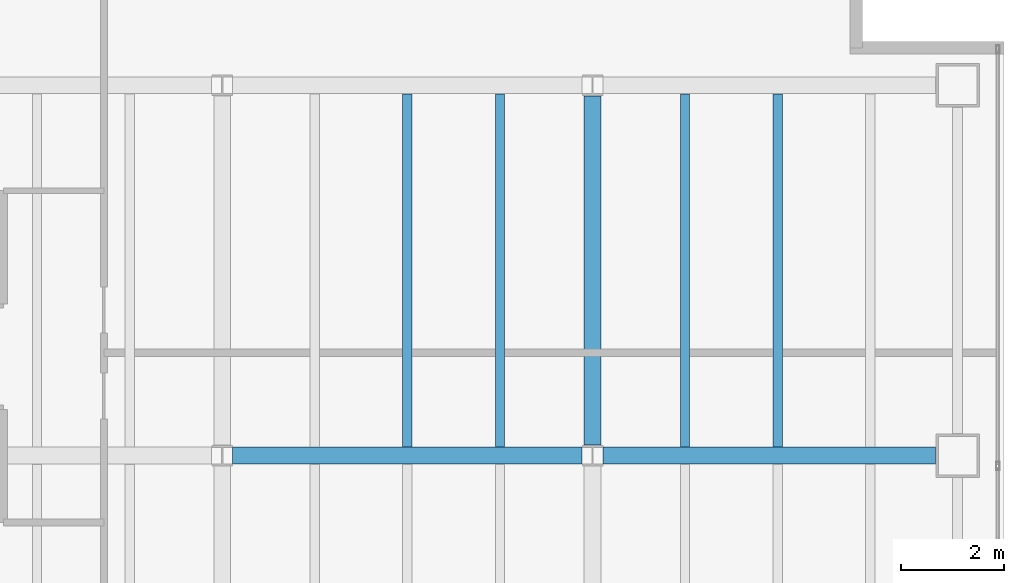
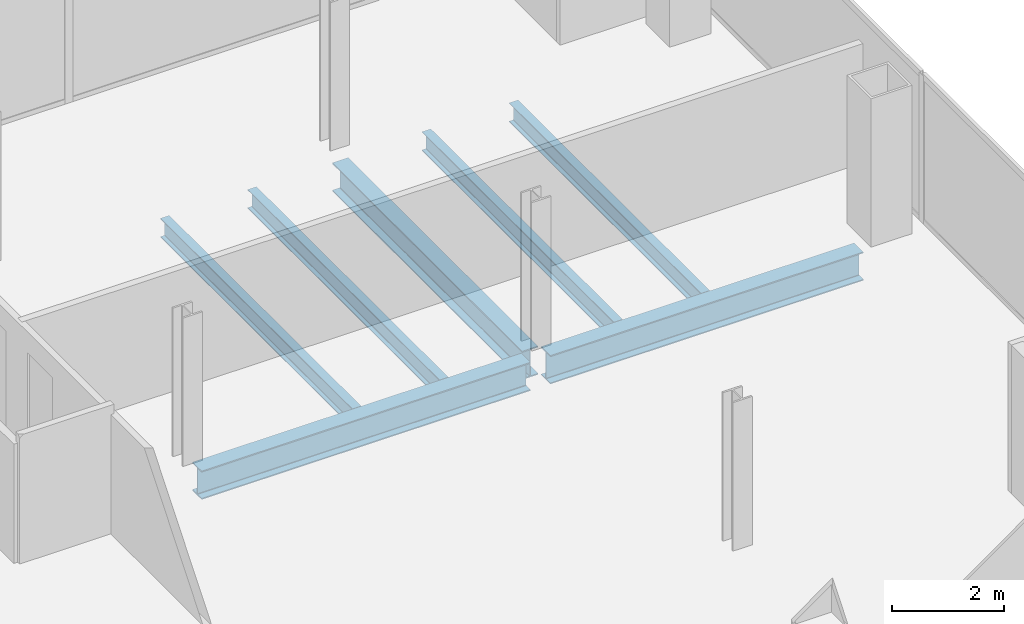
# One storey, part 13 of 23: 7 beams.
"""IFC4 building model written with IfcOpenShell, lengths in metres."""

from ifc_helpers import new_model, si_unit, direction, frame, origin, origin_2d, place, context, subcontext, project, spatial, i_section, extrude, material, material_profile, profile_set, type_object, element, save


model = new_model("IFC4")

# Units and contexts
model_context = context("Model", 3, precision=1e-05, world=origin(), true_north=direction((0.0, 1.0)))
body_context = subcontext(model_context, "Body", "Model", "MODEL_VIEW")
ifc_project = project(units=[si_unit("LENGTHUNIT", "METRE"), si_unit("AREAUNIT", "SQUARE_METRE"), si_unit("VOLUMEUNIT", "CUBIC_METRE"), si_unit("PLANEANGLEUNIT", "RADIAN"), si_unit("MASSUNIT", "GRAM", prefix="KILO")], contexts=[model_context])

# Site, building, storey
site_placement = place(None, origin())
site = spatial("IfcSite", under=ifc_project, at=site_placement, CompositionType="ELEMENT")
building_placement = place(site_placement, origin())
building = spatial("IfcBuilding", under=site, at=building_placement, Name="Cobrela Telecom Tower", CompositionType="ELEMENT")
storey_placement = place(building_placement, frame((0.0, 0.0, 180.25)))
storey = spatial("IfcBuildingStorey", under=building, at=storey_placement, Name="L45", CompositionType="ELEMENT", Elevation=180.25)

# Beams
ifc_material = material(Name="Steel ASTM A992 Grade 50", Category="steel")
ifc_material_profile_1 = material_profile(ifc_material, i_section(OverallWidth=0.327880859375, OverallDepth=0.6220703125, WebThickness=0.015380859375, FlangeThickness=0.0244140625, FilletRadius=0.014892578125, at=origin_2d()), Name="W24X131")
ifc_profile_set_1 = profile_set([ifc_material_profile_1], Name="Steel ASTM A992 Grade 50")
beam_type_1 = type_object("IfcBeamType", Name="BM-GIRD-06", PredefinedType="USERDEFINED", material=ifc_profile_set_1)
beam_1_placement = place(storey_placement, frame((29.00439453125, 14.39990234375, -0.571044921875), z_axis=(1.0, 0.0, 0.0), x_axis=(0.0, 1.0, 0.0)))
element("IfcBeam", 1, at=beam_1_placement, inside=storey, type_object=beam_type_1, Name="L45 Primary Girder X13", ObjectType="GIRDER", PredefinedType="USERDEFINED", context=body_context, shape_type="SweptSolid", body=[
    extrude(i_section(OverallWidth=0.327880859375, OverallDepth=0.6220703125, WebThickness=0.015380859375, FlangeThickness=0.0244140625, FilletRadius=0.014892578125, at=origin_2d()), origin(), (0.0, 0.0, 1.0), 6.791015625),
])
beam_2_placement = place(storey_placement, frame((36.20458984375, 14.39990234375, -0.571044921875), z_axis=(1.0, 0.0, 0.0), x_axis=(0.0, 1.0, 0.0)))
element("IfcBeam", 2, at=beam_2_placement, inside=storey, type_object=beam_type_1, Name="L45 Primary Girder X14", ObjectType="GIRDER", PredefinedType="USERDEFINED", context=body_context, shape_type="SweptSolid", body=[
    extrude(i_section(OverallWidth=0.327880859375, OverallDepth=0.6220703125, WebThickness=0.015380859375, FlangeThickness=0.0244140625, FilletRadius=0.014892578125, at=origin_2d()), origin(), (0.0, 0.0, 1.0), 6.46533203125),
])
beam_3_placement = place(storey_placement, frame((36.0, 14.6044921875, -0.571044921875), z_axis=(0.0, 1.0, 0.0), x_axis=(-1.0, 0.0, 0.0)))
element("IfcBeam", 3, at=beam_3_placement, inside=storey, type_object=beam_type_1, Name="L45 Primary Girder Y41", ObjectType="GIRDER", PredefinedType="USERDEFINED", context=body_context, shape_type="SweptSolid", body=[
    extrude(i_section(OverallWidth=0.327880859375, OverallDepth=0.6220703125, WebThickness=0.015380859375, FlangeThickness=0.0244140625, FilletRadius=0.014892578125, at=origin_2d()), origin(), (0.0, 0.0, 1.0), 6.791015625),
])
ifc_material_profile_2 = material_profile(ifc_material, i_section(OverallWidth=0.179931640625, OverallDepth=0.4169921875, WebThickness=0.010986328125, FlangeThickness=0.01806640625, FilletRadius=0.011962890625, at=origin_2d()), Name="W16X57")
ifc_profile_set_2 = profile_set([ifc_material_profile_2], Name="Steel ASTM A992 Grade 50")
beam_type_2 = type_object("IfcBeamType", Name="BM-JOIST-04", PredefinedType="JOIST", material=ifc_profile_set_2)
for number, where, z_axis, x_axis, name in (
    (4, (32.39990234375, 14.569091796875, -0.468505859375), (0.0, 1.0, 0.0), (-1.0, 0.0, 0.0), "L45 Secondary Composite Floor Beam J22"),
    (5, (34.199951171875, 14.569091796875, -0.468505859375), (0.0, 1.0, 0.0), (-1.0, 0.0, 0.0), "L45 Secondary Composite Floor Beam J24"),
    (6, (37.800048828125, 14.569091796875, -0.468505859375), (0.0, 1.0, 0.0), (-1.0, 0.0, 0.0), "L45 Secondary Composite Floor Beam J26"),
    (7, (39.60009765625, 14.569091796875, -0.468505859375), (0.0, 1.0, 0.0), (-1.0, 0.0, 0.0), "L45 Secondary Composite Floor Beam J28"),
):
    element("IfcBeam", number, at=place(storey_placement, frame(where, z_axis=z_axis, x_axis=x_axis)), inside=storey, type_object=beam_type_2, Name=name, PredefinedType="JOIST", context=body_context, shape_type="SweptSolid", body=[
        extrude(i_section(OverallWidth=0.179931640625, OverallDepth=0.4169921875, WebThickness=0.010986328125, FlangeThickness=0.01806640625, FilletRadius=0.011962890625, at=origin_2d()), origin(), (0.0, 0.0, 1.0), 6.86181640625),
    ])

save(model, "model.ifc")
